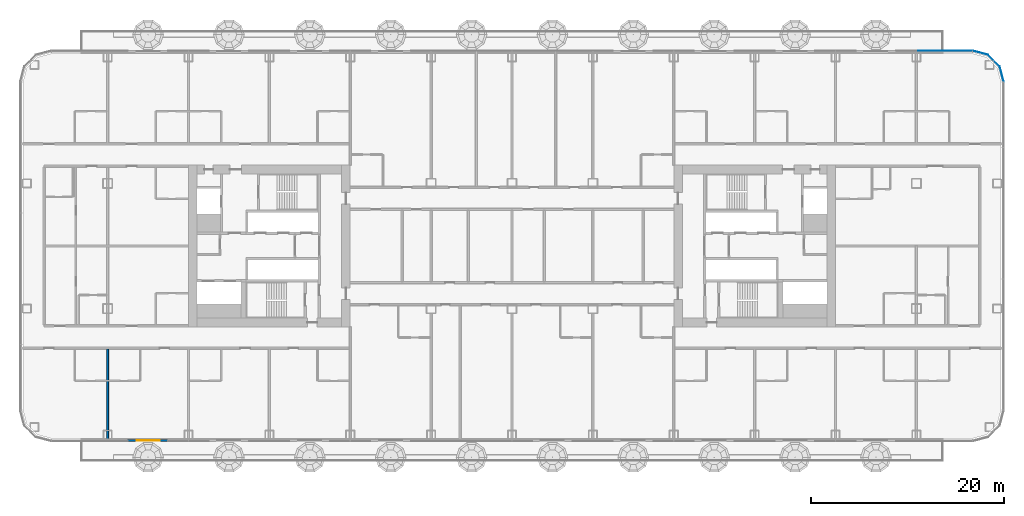
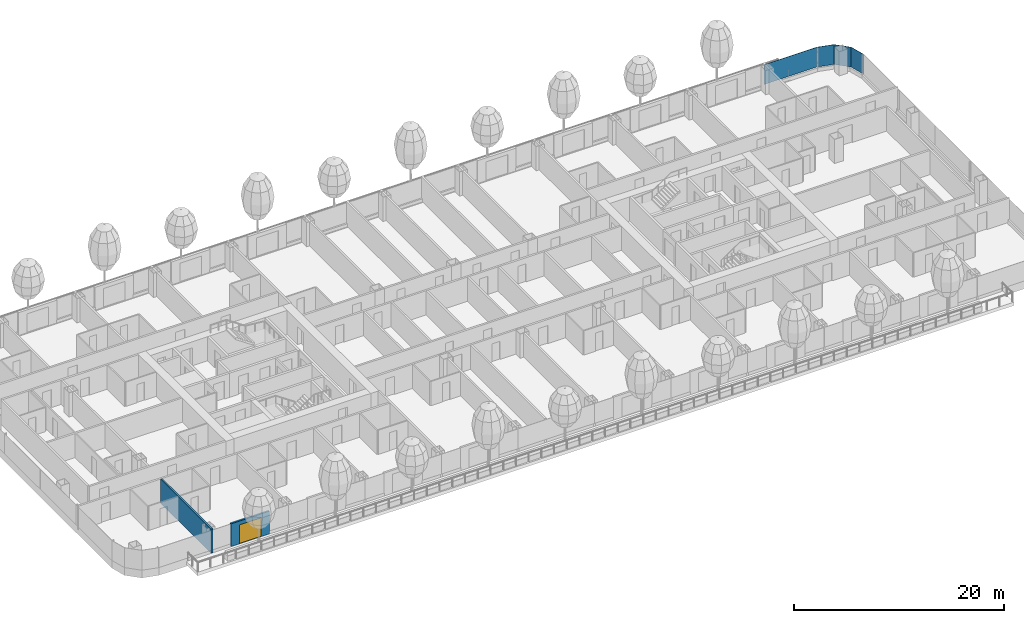
# One storey, part 12 of 35: 2 plates, 2 walls, 1 door, 1 opening, 3 elements without a shape of their own.
"""IFC4 building model written with IfcOpenShell, lengths in metres."""

from ifc_helpers import new_model, si_unit, direction, frame, frame_2d, origin, origin_2d, place, context, subcontext, project, spatial, polyline, rectangle, outline, extrude, material, layer, layer_set, type_object, element, fill, aggregate, save


model = new_model("IFC4")

# Units and contexts
model_context = context("Model", 3, precision=1e-05, world=origin(), true_north=direction((0.0, 1.0)))
body_context = subcontext(model_context, "Body", "Model", "MODEL_VIEW")
ifc_project = project(units=[si_unit("LENGTHUNIT", "METRE"), si_unit("AREAUNIT", "SQUARE_METRE"), si_unit("VOLUMEUNIT", "CUBIC_METRE"), si_unit("PLANEANGLEUNIT", "RADIAN"), si_unit("MASSUNIT", "GRAM", prefix="KILO")], contexts=[model_context])

# Site, building, storey
site_placement = place(None, origin())
site = spatial("IfcSite", under=ifc_project, at=site_placement, CompositionType="ELEMENT")
building_placement = place(site_placement, origin())
building = spatial("IfcBuilding", under=site, at=building_placement, Name="Hakoniwa Tower and Hamabe Station Hall", CompositionType="ELEMENT")
storey_placement = place(building_placement, frame((0.0, 0.0, 51.800048828125)))
storey = spatial("IfcBuildingStorey", under=building, at=storey_placement, Name="L14", CompositionType="ELEMENT", Elevation=51.800048828125)

# Curtain wall, plate
ifc_material_1 = material(Name="Dark low-e laminated glass", Category="glass")
ifc_layer_1 = layer(ifc_material_1, 0.199951171875)
ifc_layer_set_1 = layer_set([ifc_layer_1], Name="CW-1 UNITISED GUEST")
curtain_wall_type = type_object("IfcCurtainWallType", Name="CW-1 UNITISED GUEST", PredefinedType="NOTDEFINED", material=ifc_layer_set_1)
curtain_wall_1_placement = place(storey_placement, origin())
curtain_wall_1 = element("IfcCurtainWall", 1, at=curtain_wall_1_placement, inside=storey, type_object=curtain_wall_type, Name="CW-1 curtain wall", PredefinedType="NOTDEFINED")
ifc_material_2 = material(Name="Dark low-e laminated glass", Category="glass")
ifc_layer_2 = layer(ifc_material_2, 0.028076171875)
ifc_layer_set_2 = layer_set([ifc_layer_2], Name="CW-1 GLASS UNIT")
plate_type = type_object("IfcPlateType", Name="CW-1 GLASS UNIT", PredefinedType="CURTAIN_PANEL", material=ifc_layer_set_2)
plate_1_placement = place(storey_placement, frame((0.0, 0.0, 0.349853515625)))
plate_1 = element("IfcPlate", 2, at=plate_1_placement, type_object=plate_type, Name="CW-1 curved corner unit", PredefinedType="CURTAIN_PANEL", context=body_context, shape_type="SweptSolid", body=[
    extrude(outline(polyline([(51.089599609375, 17.078125), (50.6669921875, 18.6552734375), (49.455322265625, 19.866943359375), (47.878173828125, 20.28955078125), (47.870849609375, 20.2626953125), (49.44091796875, 19.842041015625), (50.641845703125, 18.640869140625), (51.0625, 17.07080078125), (51.089599609375, 17.078125)])), origin(), (0.0, 0.0, 1.0), 2.300048828125),
])
aggregate(curtain_wall_1, [plate_1])

curtain_wall_2_placement = place(storey_placement, origin())
curtain_wall_2 = element("IfcCurtainWall", 3, at=curtain_wall_2_placement, inside=storey, type_object=curtain_wall_type, Name="CW-1 curtain wall", PredefinedType="NOTDEFINED")
plate_2_placement = place(storey_placement, frame((44.919677734375, 20.285888671875, 0.35009765625), z_axis=(0.0, 0.0, 1.0), x_axis=(-1.0, 0.0, 0.0)))
plate_2 = element("IfcPlate", 4, at=plate_2_placement, type_object=plate_type, Name="CW-1 glass unit", PredefinedType="CURTAIN_PANEL", context=body_context, shape_type="SweptSolid", body=[
    extrude(rectangle(XDim=5.819580078125, YDim=0.028076171875, at=origin_2d()), origin(), (0.0, 0.0, 1.0), 2.300048828125),
])
aggregate(curtain_wall_2, [plate_2])

# Curtain wall, wall, opening, door
curtain_wall_3_placement = place(storey_placement, origin())
curtain_wall_3 = element("IfcCurtainWall", 5, at=curtain_wall_3_placement, inside=storey, type_object=curtain_wall_type, Name="CW-1 curtain wall", PredefinedType="NOTDEFINED")
ifc_material_3 = material(Name="Dark glass-faced aluminium panel", Category="aluminium")
ifc_layer_3 = layer(ifc_material_3, 0.199951171875)
ifc_layer_set_3 = layer_set([ifc_layer_3], Name="DOOR BAY WALL")
wall_type_1 = type_object("IfcWallType", Name="DOOR BAY WALL", PredefinedType="NOTDEFINED", material=ifc_layer_set_3)
wall_1_placement = place(storey_placement, frame((-39.909912109375, -20.199951171875, 0.0), z_axis=(0.0, 0.0, 1.0), x_axis=(1.0, 0.0, 0.0)))
wall_1 = element("IfcWall", 6, at=wall_1_placement, type_object=wall_type_1, Name="Door bay wall", PredefinedType="NOTDEFINED", context=body_context, shape_type="SweptSolid", body=[
    extrude(rectangle(XDim=4.219970703125, YDim=0.199951171875, at=frame_2d((2.10986328125, 0.0))), origin(), (0.0, 0.0, 1.0), 2.64990234375),
])
opening_placement = place(wall_1_placement, frame((0.909912109375, 0.0, 0.0)))
opening = element("IfcOpeningElement", 7, at=opening_placement, cuts=wall_1, Name="Opening BD-S07-15", PredefinedType="OPENING", context=body_context, shape_type="SweptSolid", body=[
    extrude(rectangle(XDim=2.39990234375, YDim=2.199951171875, at=frame_2d((1.199951171875, 1.10009765625))), frame((0.0, 0.10986328125, 0.0), z_axis=(0.0, -1.0, 0.0), x_axis=(1.0, 0.0, 0.0)), (0.0, 0.0, 1.0), 0.219970703125),
])
ifc_material_4 = material(Name="Dark low-e laminated glass", Category="glass")
door_type = type_object("IfcDoorType", Name="BALCONY SLIDING DOOR 2400X2200", OperationType="SLIDING_TO_LEFT", PredefinedType="DOOR", material=ifc_material_4)
door_placement = place(opening_placement, frame((2.39990234375, 0.0, 0.0), z_axis=(0.0, 0.0, 1.0), x_axis=(-1.0, 0.0, 0.0)))
door = element("IfcDoor", 8, at=door_placement, inside=storey, type_object=door_type, Name="Balcony sliding door", OperationType="SLIDING_TO_LEFT", OverallHeight=2.199951171875, OverallWidth=2.39990234375, PredefinedType="DOOR", context=body_context, shape_type="SweptSolid", body=[
    extrude(rectangle(XDim=2.39990234375, YDim=2.199951171875, at=frame_2d((1.199951171875, 1.10009765625))), frame((0.0, 0.02490234375, 0.0), z_axis=(0.0, -1.0, 0.0), x_axis=(1.0, 0.0, 0.0)), (0.0, 0.0, 1.0), 0.050048828125),
])
fill(opening, door)
aggregate(curtain_wall_3, [wall_1])

# Wall
ifc_material_5 = material(Name="Fire-rated gypsum board partition", Category="gypsum")
ifc_layer_4 = layer(ifc_material_5, 0.199951171875)
ifc_layer_set_4 = layer_set([ifc_layer_4], Name="Party Wall 200")
wall_type_2 = type_object("IfcWallType", Name="Party Wall 200", PredefinedType="PARTITIONING", material=ifc_layer_set_4)
wall_2_placement = place(storey_placement, frame((-42.0, -20.300048828125, 0.0), z_axis=(0.0, 0.0, 1.0), x_axis=(0.0, 1.0, 0.0)))
element("IfcWall", 9, at=wall_2_placement, inside=storey, type_object=wall_type_2, Name="GW-L14-046", PredefinedType="PARTITIONING", context=body_context, shape_type="SweptSolid", body=[
    extrude(rectangle(XDim=9.60009765625, YDim=0.199951171875, at=frame_2d((4.800048828125, 0.0))), origin(), (0.0, 0.0, 1.0), 2.800048828125),
])

save(model, "model.ifc")
